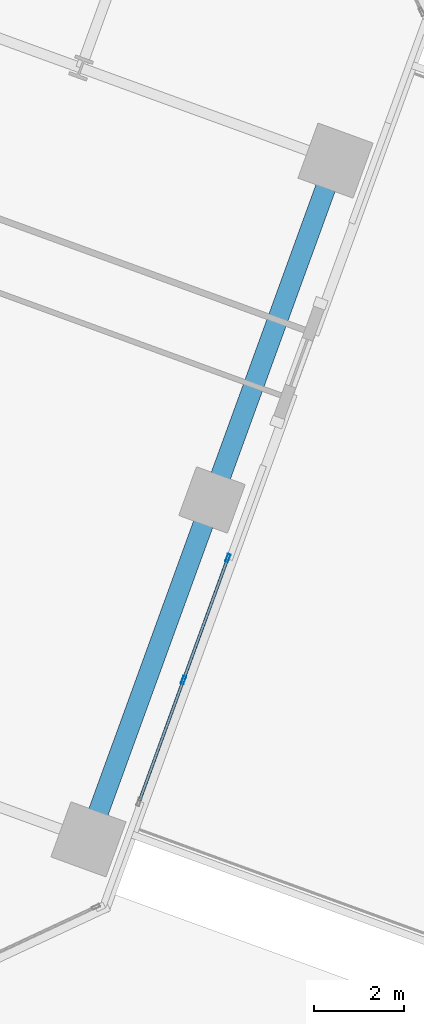
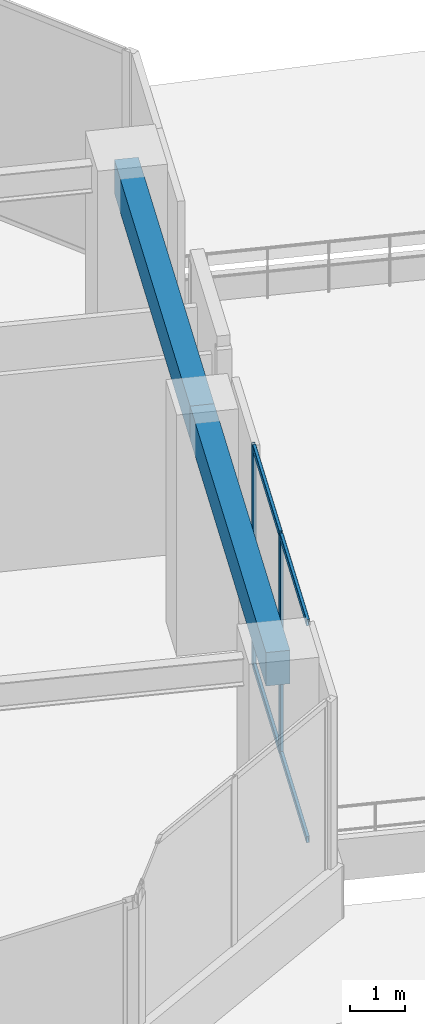
# One storey, part 9 of 21: 6 members, 2 beams, 1 element without a shape of its own.
"""IFC4 building model written with IfcOpenShell, lengths in metres."""

import ifcopenshell
import ifcopenshell.guid

model = None  # the IFC model being written
_history = None  # IfcOwnerHistory: only IFC2X3 demands one
_inside = {}  # id of a spatial element -> (the spatial element, [elements in it])
_under = {}  # id of a project, library or spatial element -> (it, [spatial elements below it])
_declared = {}  # id of a project -> (the project, [libraries it declares])
_typed = {}  # id of a type object -> (the type object, [elements of that type])
_made_of = {}  # id of a material, layer set ... -> (it, [elements and type objects made of it])


def new_model(schema):
    """Start an empty IFC model of exactly this schema.

    Asked for "IFC4X3", IfcOpenShell would pick the latest addendum, in which some entities
    have other attributes; the version numbers below select the first issue.
    IFC2X3 requires an IfcOwnerHistory on every rooted entity: one is made here for all.
    """
    global model, _history
    if schema == "IFC4X3":
        model = ifcopenshell.file(schema_version=(4, 3, 0, 0))
    else:
        model = ifcopenshell.file(schema=schema)
    _inside.clear()
    _under.clear()
    _declared.clear()
    _typed.clear()
    _made_of.clear()
    _history = None
    if model.schema == "IFC2X3":
        org = make("IfcOrganization", Name="unknown")
        user = make(
            "IfcPersonAndOrganization",
            ThePerson=make("IfcPerson", FamilyName="unknown"),
            TheOrganization=org,
        )
        app = make(
            "IfcApplication",
            ApplicationDeveloper=org,
            Version="unknown",
            ApplicationFullName="unknown",
            ApplicationIdentifier="unknown",
        )
        _history = make(
            "IfcOwnerHistory",
            OwningUser=user,
            OwningApplication=app,
            ChangeAction="ADDED",
            CreationDate=0,
        )
    return model


def make(cls, **values):
    """One entity of the class cls with the attributes given. An attribute that is None is left unset."""
    return model.create_entity(
        cls, **{name: value for name, value in values.items() if value is not None}
    )


def rooted(cls, **values):
    """An entity with a GlobalId (a new one), such as an element, a storey or a relation."""
    return make(cls, GlobalId=ifcopenshell.guid.new(), OwnerHistory=_history, **values)


def si_unit(unit_type, name, prefix=None):
    """IfcSIUnit, for example si_unit("LENGTHUNIT", "METRE", prefix="MILLI")."""
    return make("IfcSIUnit", UnitType=unit_type, Prefix=prefix, Name=name)


def assignment(units):
    """IfcUnitAssignment: the units of a project."""
    return None if units is None else make("IfcUnitAssignment", Units=units)


def point(xyz):
    """IfcCartesianPoint."""
    return None if xyz is None else make("IfcCartesianPoint", Coordinates=xyz)


def direction(xyz):
    """IfcDirection."""
    return None if xyz is None else make("IfcDirection", DirectionRatios=xyz)


def frame(location, z_axis=None, x_axis=None):
    """IfcAxis2Placement3D, a coordinate frame: its origin and axes. An axis left out is left unset."""
    return make(
        "IfcAxis2Placement3D",
        Location=point(location),
        Axis=direction(z_axis),
        RefDirection=direction(x_axis),
    )


def frame_2d(location, x_axis=None):
    """IfcAxis2Placement2D, a coordinate frame in the plane: its origin and x axis."""
    return make(
        "IfcAxis2Placement2D", Location=point(location), RefDirection=direction(x_axis)
    )


def origin():
    """The frame at (0, 0, 0) with its axes left unset."""
    return frame((0.0, 0.0, 0.0))


def origin_2d():
    """The frame at (0, 0) in the plane with its x axis left unset."""
    return frame_2d((0.0, 0.0))


def place(relative_to, where):
    """IfcLocalPlacement: puts the frame where relative to a parent placement (None: the world)."""
    return make(
        "IfcLocalPlacement", PlacementRelTo=relative_to, RelativePlacement=where
    )


def context(
    kind, dimensions, precision=None, world=None, true_north=None, identifier=None
):
    """IfcGeometricRepresentationContext, for example the 3D "Model" context."""
    return make(
        "IfcGeometricRepresentationContext",
        ContextIdentifier=identifier,
        ContextType=kind,
        CoordinateSpaceDimension=dimensions,
        Precision=precision,
        WorldCoordinateSystem=world,
        TrueNorth=true_north,
    )


def subcontext(parent, identifier, kind, view, scale=None):
    """IfcGeometricRepresentationSubContext, for example "Body" below "Model"."""
    return make(
        "IfcGeometricRepresentationSubContext",
        ContextIdentifier=identifier,
        ContextType=kind,
        ParentContext=parent,
        TargetScale=scale,
        TargetView=view,
    )


def project(units=None, contexts=None):
    """IfcProject with its units and contexts."""
    return rooted(
        "IfcProject",
        Name="project",
        RepresentationContexts=contexts,
        UnitsInContext=assignment(units),
    )


def spatial(cls, under=None, at=None, **own):
    """A site, building, storey or space (cls), placed at a placement, below another one or the project."""
    s = rooted(cls, ObjectPlacement=at, **own)
    if under is not None:
        _under.setdefault(under.id(), (under, []))[1].append(s)
    return s


def profile(cls, at=None, kind="AREA", **sizes):
    """A parametric profile (cls). Its sizes go by their IFC names, for example OverallWidth=200.0."""
    return make(cls, ProfileType=kind, Position=at, **sizes)


def rectangle(**sizes):
    """IfcRectangleProfileDef."""
    return profile("IfcRectangleProfileDef", **sizes)


def hollow_rectangle(**sizes):
    """IfcRectangleHollowProfileDef."""
    return profile("IfcRectangleHollowProfileDef", **sizes)


def extrude(swept, where, along, depth):
    """IfcExtrudedAreaSolid: the profile swept, set in the frame where, extruded along a direction by depth."""
    return make(
        "IfcExtrudedAreaSolid",
        SweptArea=swept,
        Position=where,
        ExtrudedDirection=direction(along),
        Depth=depth,
    )


def shape(context_of_items, identifier, shape_type, items):
    """IfcShapeRepresentation: the items that make up one representation, for example the "Body"."""
    return make(
        "IfcShapeRepresentation",
        ContextOfItems=context_of_items,
        RepresentationIdentifier=identifier,
        RepresentationType=shape_type,
        Items=items,
    )


def source(mapping_origin, context_of_items, identifier, shape_type, items):
    """IfcRepresentationMap: a shape defined once, which mapped items show again and again."""
    return make(
        "IfcRepresentationMap",
        MappingOrigin=mapping_origin,
        MappedRepresentation=shape(context_of_items, identifier, shape_type, items),
    )


def transform(
    local_origin,
    x_axis=None,
    y_axis=None,
    z_axis=None,
    scale=None,
    scale2=None,
    scale3=None,
    uniform=True,
):
    """IfcCartesianTransformationOperator3D, or its non-uniform kind. x_axis, y_axis, z_axis: its Axis1, 2, 3."""
    if uniform:
        return make(
            "IfcCartesianTransformationOperator3D",
            Axis1=direction(x_axis),
            Axis2=direction(y_axis),
            LocalOrigin=point(local_origin),
            Scale=scale,
            Axis3=direction(z_axis),
        )
    return make(
        "IfcCartesianTransformationOperator3DnonUniform",
        Axis1=direction(x_axis),
        Axis2=direction(y_axis),
        LocalOrigin=point(local_origin),
        Scale=scale,
        Axis3=direction(z_axis),
        Scale2=scale2,
        Scale3=scale3,
    )


def mapped(mapping_source, mapping_target):
    """IfcMappedItem: shows the shape of a source again, moved by a transform."""
    return make(
        "IfcMappedItem", MappingSource=mapping_source, MappingTarget=mapping_target
    )


def material(Name=None, Category=None):
    """IfcMaterial."""
    return make("IfcMaterial", Name=Name, Category=Category)


def material_profile(
    of_material, cross_section, Name=None, Category=None, Priority=None
):
    """IfcMaterialProfile: a cross section and its material."""
    return make(
        "IfcMaterialProfile",
        Name=Name,
        Material=of_material,
        Profile=cross_section,
        Priority=Priority,
        Category=Category,
    )


def profile_set(profiles, Name=None, composite=None):
    """IfcMaterialProfileSet."""
    return make(
        "IfcMaterialProfileSet",
        Name=Name,
        MaterialProfiles=profiles,
        CompositeProfile=composite,
    )


def made_of(thing, what):
    """Note that an element or type object is made of a material, layer set ...; save() writes the relation."""
    if what is not None:
        _made_of.setdefault(what.id(), (what, []))[1].append(thing)
    return thing


def type_object(cls, material=None, **own):
    """A type object (cls), such as IfcWallType, which elements share."""
    return made_of(rooted(cls, **own), material)


def element(
    cls,
    number,
    at=None,
    inside=None,
    cuts=None,
    type_object=None,
    material=None,
    context=None,
    identifier="Body",
    shape_type=None,
    held_by="IfcProductDefinitionShape",
    body=None,
    shapes=None,
    **own,
):
    """One element of the class cls, such as IfcWall. Its Tag is "e" and its number.

    at: its placement. inside: the storey or other place that contains it. cuts: it is an
    opening in that element (IfcRelVoidsElement). A single representation is given by context,
    identifier, shape_type and body (its items); several are given by shapes. held_by: the class
    of the entity that holds the representations. save() writes the other relations.
    """
    e = rooted(cls, Tag="e%d" % number, ObjectPlacement=at, **own)
    if body is not None:
        shapes = [shape(context, identifier, shape_type, body)]
    if shapes is not None:
        e.Representation = make(held_by, Representations=shapes)
    if inside is not None:
        _inside.setdefault(inside.id(), (inside, []))[1].append(e)
    if cuts is not None:
        rooted(
            "IfcRelVoidsElement", RelatingBuildingElement=cuts, RelatedOpeningElement=e
        )
    if type_object is not None:
        _typed.setdefault(type_object.id(), (type_object, []))[1].append(e)
    return made_of(e, material)


def aggregate(whole, parts):
    """IfcRelAggregates: a whole, such as a stair, and the parts it consists of."""
    return rooted("IfcRelAggregates", RelatingObject=whole, RelatedObjects=parts)


def save(model, path):
    """Write the relations noted so far, then the file.

    IfcRelAggregates (storeys below a building ...), IfcRelContainedInSpatialStructure (elements
    in a storey), IfcRelDefinesByType, IfcRelAssociatesMaterial and IfcRelDeclares: one each for
    every whole, place, type object, material and project.
    """
    for whole, parts in _under.values():
        aggregate(whole, parts)
    for where, things in _inside.values():
        rooted(
            "IfcRelContainedInSpatialStructure",
            RelatedElements=things,
            RelatingStructure=where,
        )
    for kind, things in _typed.values():
        rooted("IfcRelDefinesByType", RelatedObjects=things, RelatingType=kind)
    for what, things in _made_of.values():
        rooted("IfcRelAssociatesMaterial", RelatedObjects=things, RelatingMaterial=what)
    for by, libraries in _declared.values():
        rooted("IfcRelDeclares", RelatingContext=by, RelatedDefinitions=libraries)
    model.write(path)


model = new_model("IFC4")

# Units and contexts
model_context = context("Model", 3, precision=1e-05, world=origin(), true_north=direction((0.0, 1.0)))
body_context = subcontext(model_context, "Body", "Model", "MODEL_VIEW")
ifc_project = project(units=[si_unit("LENGTHUNIT", "METRE"), si_unit("AREAUNIT", "SQUARE_METRE"), si_unit("VOLUMEUNIT", "CUBIC_METRE"), si_unit("PLANEANGLEUNIT", "RADIAN"), si_unit("MASSUNIT", "GRAM", prefix="KILO")], contexts=[model_context])

# Site, building, storey
site_placement = place(None, origin())
site = spatial("IfcSite", under=ifc_project, at=site_placement, CompositionType="ELEMENT")
building_placement = place(site_placement, origin())
building = spatial("IfcBuilding", under=site, at=building_placement, Name="Torre Montelarca", CompositionType="ELEMENT")
storey_placement = place(building_placement, frame((0.0, 0.0, 127.60009765625)))
storey = spatial("IfcBuildingStorey", under=building, at=storey_placement, Name="L28", CompositionType="ELEMENT", Elevation=127.60009765625)

# Beams
ifc_material_1 = material(Name="Concrete C55/67", Category="concrete")
ifc_material_profile_1 = material_profile(ifc_material_1, rectangle(XDim=0.449951171875, YDim=0.75, at=origin_2d()), Name="RCB450X750", Category="concrete")
ifc_profile_set_1 = profile_set([ifc_material_profile_1], Name="Concrete C55/67")
beam_type = type_object("IfcBeamType", Name="BM-SP-RC750-EXT", PredefinedType="SPANDREL", material=ifc_profile_set_1)
shared_shape_1 = source(origin(), body_context, "Body", "SweptSolid", [
    extrude(rectangle(XDim=0.449951171875, YDim=0.75, at=origin_2d()), origin(), (0.0, 0.0, 1.0), 8.0),
])
for number, where, z_axis, x_axis, name in (
    (1, (43.665771484375, 15.4189453125, 4.784912109375), (0.342010133499, 0.939696264005, 0.0), (-0.939696264005, 0.342010133499, 0.0), "L28 Grid Girder Y 24.0-32.0 at X=48.0"),
    (2, (46.40185546875, 22.9365234375, 4.784912109375), (0.342010133499, 0.939696264005, 0.0), (-0.939696264005, 0.342010133499, 0.0), "L28 Grid Girder Y 32.0-40.0 at X=48.0"),
):
    element("IfcBeam", number, at=place(storey_placement, frame(where, z_axis=z_axis, x_axis=x_axis)), inside=storey, type_object=beam_type, Name=name, PredefinedType="SPANDREL", context=body_context, shape_type="MappedRepresentation", body=[
        mapped(shared_shape_1, transform((0.0, 0.0, 0.0), scale=1.0)),
    ])

# Curtain wall, members
ifc_material_2 = material(Name="Insulated low-E laminated glass", Category="glass")
curtain_wall_type = type_object("IfcCurtainWallType", Name="CW-SYS-Z2", PredefinedType="USERDEFINED", material=ifc_material_2)
curtain_wall_placement = place(storey_placement, origin())
curtain_wall = element("IfcCurtainWall", 3, at=curtain_wall_placement, inside=storey, type_object=curtain_wall_type, Name="L28 Curtain Wall Run CW-T3-L28-E06-B1", ObjectType="UNITISED GLAZING", PredefinedType="USERDEFINED")
ifc_material_3 = material(Name="Anodised aluminium AA 6063-T6", Category="aluminium")
ifc_material_profile_2 = material_profile(ifc_material_3, hollow_rectangle(XDim=0.06494140625, YDim=0.179931640625, WallThickness=0.00390625, InnerFilletRadius=0.00390625, OuterFilletRadius=0.008056640625, at=origin_2d()), Name="ALU65X180X4", Category="aluminium")
ifc_profile_set_2 = profile_set([ifc_material_profile_2], Name="Anodised aluminium AA 6063-T6")
member_type_1 = type_object("IfcMemberType", Name="CWM-ALU180", PredefinedType="MULLION", material=ifc_profile_set_2)
shared_shape_2 = source(origin(), body_context, "Body", "SweptSolid", [
    extrude(hollow_rectangle(XDim=0.06494140625, YDim=0.179931640625, WallThickness=0.00390625, InnerFilletRadius=0.00390625, OuterFilletRadius=0.008056640625, at=origin_2d()), origin(), (0.0, 0.0, 1.0), 4.919921875),
])
member_1_placement = place(storey_placement, frame((45.770263671875, 18.94970703125, 0.0), z_axis=(0.0, 0.0, 1.0), x_axis=(-0.939691457265, 0.342023340056, 0.0)))
member_1 = element("IfcMember", 4, at=member_1_placement, type_object=member_type_1, Name="CW mullion 2", PredefinedType="MULLION", context=body_context, shape_type="MappedRepresentation", body=[
    mapped(shared_shape_2, transform((0.0, 0.0, 0.0), scale=1.0)),
])
member_2_placement = place(storey_placement, frame((46.75341796875, 21.6513671875, 0.0), z_axis=(0.0, 0.0, 1.0), x_axis=(-0.939691457265, 0.342023340056, 0.0)))
member_2 = element("IfcMember", 5, at=member_2_placement, type_object=member_type_1, Name="CW mullion 3", PredefinedType="MULLION", context=body_context, shape_type="MappedRepresentation", body=[
    mapped(shared_shape_2, transform((0.0, 0.0, 0.0), scale=1.0)),
])
ifc_material_profile_3 = material_profile(ifc_material_3, hollow_rectangle(XDim=0.06494140625, YDim=0.139892578125, WallThickness=0.00390625, InnerFilletRadius=0.00390625, OuterFilletRadius=0.008056640625, at=origin_2d()), Name="ALU65X140X4", Category="aluminium")
ifc_profile_set_3 = profile_set([ifc_material_profile_3], Name="Anodised aluminium AA 6063-T6")
member_type_2 = type_object("IfcMemberType", Name="CWT-ALU140", PredefinedType="USERDEFINED", material=ifc_profile_set_3)
shared_shape_3 = source(origin(), body_context, "Body", "SweptSolid", [
    extrude(hollow_rectangle(XDim=0.06494140625, YDim=0.139892578125, WallThickness=0.00390625, InnerFilletRadius=0.00390625, OuterFilletRadius=0.008056640625, at=origin_2d()), origin(), (0.0, 0.0, 1.0), 2.809814453125),
])
member_3_placement = place(storey_placement, frame((44.7978515625, 16.278564453125, 0.032470703125), z_axis=(0.342070926666, 0.939674135608, 0.0), x_axis=(-0.939674135608, 0.342070926666, 0.0)))
member_3 = element("IfcMember", 6, at=member_3_placement, type_object=member_type_2, Name="CW transom 1.1", ObjectType="TRANSOM", PredefinedType="USERDEFINED", context=body_context, shape_type="MappedRepresentation", body=[
    mapped(shared_shape_3, transform((0.0, 0.0, 0.0), scale=1.0)),
])
member_4_placement = place(storey_placement, frame((44.7978515625, 16.278564453125, 4.887451171875), z_axis=(0.342070926666, 0.939674135608, 0.0), x_axis=(-0.939674135608, 0.342070926666, 0.0)))
member_4 = element("IfcMember", 7, at=member_4_placement, type_object=member_type_2, Name="CW transom 1.2", ObjectType="TRANSOM", PredefinedType="USERDEFINED", context=body_context, shape_type="MappedRepresentation", body=[
    mapped(shared_shape_3, transform((0.0, 0.0, 0.0), scale=1.0)),
])
member_5_placement = place(storey_placement, frame((45.78125, 18.980224609375, 0.032470703125), z_axis=(0.342070926666, 0.939674135608, 0.0), x_axis=(-0.939674135608, 0.342070926666, 0.0)))
member_5 = element("IfcMember", 8, at=member_5_placement, type_object=member_type_2, Name="CW transom 2.1", ObjectType="TRANSOM", PredefinedType="USERDEFINED", context=body_context, shape_type="MappedRepresentation", body=[
    mapped(shared_shape_3, transform((0.0, 0.0, 0.0), scale=1.0)),
])
member_6_placement = place(storey_placement, frame((45.78125, 18.980224609375, 4.887451171875), z_axis=(0.342070926666, 0.939674135608, 0.0), x_axis=(-0.939674135608, 0.342070926666, 0.0)))
member_6 = element("IfcMember", 9, at=member_6_placement, type_object=member_type_2, Name="CW transom 2.2", ObjectType="TRANSOM", PredefinedType="USERDEFINED", context=body_context, shape_type="MappedRepresentation", body=[
    mapped(shared_shape_3, transform((0.0, 0.0, 0.0), scale=1.0)),
])
aggregate(curtain_wall, [member_1, member_2, member_3, member_4, member_5, member_6])

save(model, "model.ifc")
